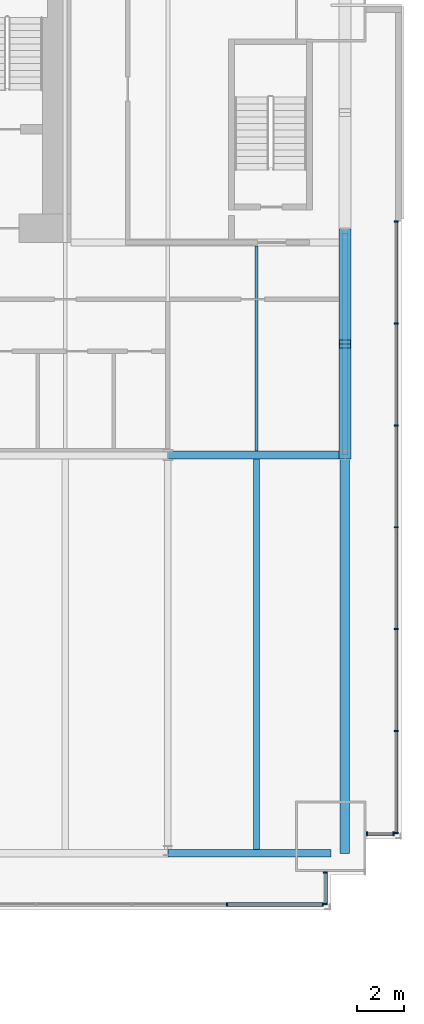
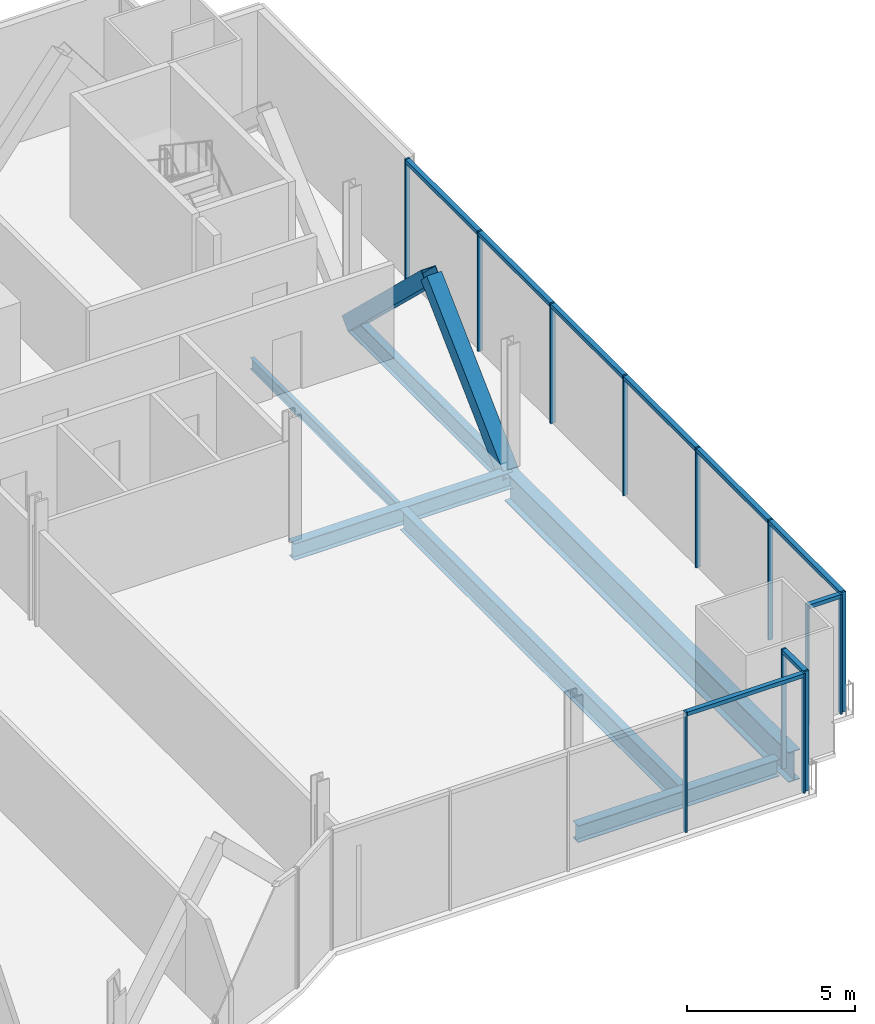
# One storey, part 12 of 21: 24 members, 6 beams, 4 elements without a shape of their own.
"""IFC4 building model written with IfcOpenShell, lengths in metres."""

from ifc_helpers import new_model, si_unit, direction, frame, origin, origin_2d, place, context, subcontext, project, spatial, rectangle, hollow_rectangle, i_section, extrude, material, material_profile, profile_set, type_object, element, aggregate, save


model = new_model("IFC4")

# Units and contexts
model_context = context("Model", 3, precision=1e-05, world=origin(), true_north=direction((0.0, 1.0)))
body_context = subcontext(model_context, "Body", "Model", "MODEL_VIEW")
ifc_project = project(units=[si_unit("LENGTHUNIT", "METRE"), si_unit("AREAUNIT", "SQUARE_METRE"), si_unit("VOLUMEUNIT", "CUBIC_METRE"), si_unit("PLANEANGLEUNIT", "RADIAN"), si_unit("MASSUNIT", "GRAM", prefix="KILO")], contexts=[model_context])

# Site, building, storey
site_placement = place(None, origin())
site = spatial("IfcSite", under=ifc_project, at=site_placement, CompositionType="ELEMENT")
building_placement = place(site_placement, origin())
building = spatial("IfcBuilding", under=site, at=building_placement, Name="Bicima Exchange Tower", CompositionType="ELEMENT")
storey_placement = place(building_placement, frame((0.0, 0.0, 48.5)))
storey = spatial("IfcBuildingStorey", under=building, at=storey_placement, Name="L09", CompositionType="ELEMENT", Elevation=48.5)

# Curtain wall, members
ifc_material_1 = material(Name="Anodised bronze aluminium", Category="aluminium")
curtain_wall_type_1 = type_object("IfcCurtainWallType", Name="End face glass wall", PredefinedType="NOTDEFINED", material=ifc_material_1)
curtain_wall_1_placement = place(storey_placement, origin())
curtain_wall_1 = element("IfcCurtainWall", 1, at=curtain_wall_1_placement, inside=storey, type_object=curtain_wall_type_1, Name="End face glass wall L09 run 19", PredefinedType="NOTDEFINED")
ifc_material_profile_1 = material_profile(ifc_material_1, rectangle(XDim=0.159912109375, YDim=0.06005859375, at=origin_2d()))
ifc_profile_set_1 = profile_set([ifc_material_profile_1], Name="Anodised bronze aluminium")
member_type_1 = type_object("IfcMemberType", Name="End face glass wall mullion 60 x 160", PredefinedType="MULLION", material=ifc_profile_set_1)
member_1_placement = place(storey_placement, frame((35.77001953125, -38.008056640625, 0.0), z_axis=(0.0, 0.0, 1.0), x_axis=(-1.0, 0.0, 0.0)))
member_1 = element("IfcMember", 2, at=member_1_placement, type_object=member_type_1, Name="End face glass wall mullion 1", PredefinedType="MULLION", context=body_context, shape_type="SweptSolid", body=[
    extrude(rectangle(XDim=0.159912109375, YDim=0.06005859375, at=origin_2d()), origin(), (0.0, 0.0, 1.0), 4.35009765625),
])
member_2_placement = place(storey_placement, frame((35.77001953125, -33.691650390625, 0.0), z_axis=(0.0, 0.0, 1.0), x_axis=(-1.0, 0.0, 0.0)))
member_2 = element("IfcMember", 3, at=member_2_placement, type_object=member_type_1, Name="End face glass wall mullion 2", PredefinedType="MULLION", context=body_context, shape_type="SweptSolid", body=[
    extrude(rectangle(XDim=0.159912109375, YDim=0.06005859375, at=origin_2d()), origin(), (0.0, 0.0, 1.0), 4.35009765625),
])
member_3_placement = place(storey_placement, frame((35.77001953125, -29.375244140625, 0.0), z_axis=(0.0, 0.0, 1.0), x_axis=(-1.0, 0.0, 0.0)))
member_3 = element("IfcMember", 4, at=member_3_placement, type_object=member_type_1, Name="End face glass wall mullion 3", PredefinedType="MULLION", context=body_context, shape_type="SweptSolid", body=[
    extrude(rectangle(XDim=0.159912109375, YDim=0.06005859375, at=origin_2d()), origin(), (0.0, 0.0, 1.0), 4.35009765625),
])
member_4_placement = place(storey_placement, frame((35.77001953125, -25.05908203125, 0.0), z_axis=(0.0, 0.0, 1.0), x_axis=(-1.0, 0.0, 0.0)))
member_4 = element("IfcMember", 5, at=member_4_placement, type_object=member_type_1, Name="End face glass wall mullion 4", PredefinedType="MULLION", context=body_context, shape_type="SweptSolid", body=[
    extrude(rectangle(XDim=0.159912109375, YDim=0.06005859375, at=origin_2d()), origin(), (0.0, 0.0, 1.0), 4.35009765625),
])
member_5_placement = place(storey_placement, frame((35.77001953125, -20.74267578125, 0.0), z_axis=(0.0, 0.0, 1.0), x_axis=(-1.0, 0.0, 0.0)))
member_5 = element("IfcMember", 6, at=member_5_placement, type_object=member_type_1, Name="End face glass wall mullion 5", PredefinedType="MULLION", context=body_context, shape_type="SweptSolid", body=[
    extrude(rectangle(XDim=0.159912109375, YDim=0.06005859375, at=origin_2d()), origin(), (0.0, 0.0, 1.0), 4.35009765625),
])
member_6_placement = place(storey_placement, frame((35.77001953125, -16.42626953125, 0.0), z_axis=(0.0, 0.0, 1.0), x_axis=(-1.0, 0.0, 0.0)))
member_6 = element("IfcMember", 7, at=member_6_placement, type_object=member_type_1, Name="End face glass wall mullion 6", PredefinedType="MULLION", context=body_context, shape_type="SweptSolid", body=[
    extrude(rectangle(XDim=0.159912109375, YDim=0.06005859375, at=origin_2d()), origin(), (0.0, 0.0, 1.0), 4.35009765625),
])
member_7_placement = place(storey_placement, frame((35.77001953125, -12.110107421875, 0.0), z_axis=(0.0, 0.0, 1.0), x_axis=(-1.0, 0.0, 0.0)))
member_7 = element("IfcMember", 8, at=member_7_placement, type_object=member_type_1, Name="End face glass wall mullion 7", PredefinedType="MULLION", context=body_context, shape_type="SweptSolid", body=[
    extrude(rectangle(XDim=0.159912109375, YDim=0.06005859375, at=origin_2d()), origin(), (0.0, 0.0, 1.0), 4.35009765625),
])
ifc_material_profile_2 = material_profile(ifc_material_1, rectangle(XDim=0.159912109375, YDim=0.139892578125, at=origin_2d()))
ifc_profile_set_2 = profile_set([ifc_material_profile_2], Name="Anodised bronze aluminium")
member_type_2 = type_object("IfcMemberType", Name="End face glass wall transom 140 x 160", PredefinedType="USERDEFINED", material=ifc_profile_set_2)
member_8_placement = place(storey_placement, frame((35.77001953125, -37.97802734375, 4.280029296875), z_axis=(0.0, 1.0, 0.0), x_axis=(-1.0, 0.0, 0.0)))
member_8 = element("IfcMember", 9, at=member_8_placement, type_object=member_type_2, Name="End face glass wall transom 1.1", ObjectType="TRANSOM", PredefinedType="USERDEFINED", context=body_context, shape_type="SweptSolid", body=[
    extrude(rectangle(XDim=0.159912109375, YDim=0.139892578125, at=origin_2d()), origin(), (0.0, 0.0, 1.0), 4.25634765625),
])
member_9_placement = place(storey_placement, frame((35.77001953125, -33.66162109375, 4.280029296875), z_axis=(0.0, 1.0, 0.0), x_axis=(-1.0, 0.0, 0.0)))
member_9 = element("IfcMember", 10, at=member_9_placement, type_object=member_type_2, Name="End face glass wall transom 2.1", ObjectType="TRANSOM", PredefinedType="USERDEFINED", context=body_context, shape_type="SweptSolid", body=[
    extrude(rectangle(XDim=0.159912109375, YDim=0.139892578125, at=origin_2d()), origin(), (0.0, 0.0, 1.0), 4.25634765625),
])
member_10_placement = place(storey_placement, frame((35.77001953125, -29.34521484375, 4.280029296875), z_axis=(0.0, 1.0, 0.0), x_axis=(-1.0, 0.0, 0.0)))
member_10 = element("IfcMember", 11, at=member_10_placement, type_object=member_type_2, Name="End face glass wall transom 3.1", ObjectType="TRANSOM", PredefinedType="USERDEFINED", context=body_context, shape_type="SweptSolid", body=[
    extrude(rectangle(XDim=0.159912109375, YDim=0.139892578125, at=origin_2d()), origin(), (0.0, 0.0, 1.0), 4.256103515625),
])
member_11_placement = place(storey_placement, frame((35.77001953125, -25.029052734375, 4.280029296875), z_axis=(0.0, 1.0, 0.0), x_axis=(-1.0, 0.0, 0.0)))
member_11 = element("IfcMember", 12, at=member_11_placement, type_object=member_type_2, Name="End face glass wall transom 4.1", ObjectType="TRANSOM", PredefinedType="USERDEFINED", context=body_context, shape_type="SweptSolid", body=[
    extrude(rectangle(XDim=0.159912109375, YDim=0.139892578125, at=origin_2d()), origin(), (0.0, 0.0, 1.0), 4.25634765625),
])
member_12_placement = place(storey_placement, frame((35.77001953125, -20.712646484375, 4.280029296875), z_axis=(0.0, 1.0, 0.0), x_axis=(-1.0, 0.0, 0.0)))
member_12 = element("IfcMember", 13, at=member_12_placement, type_object=member_type_2, Name="End face glass wall transom 5.1", ObjectType="TRANSOM", PredefinedType="USERDEFINED", context=body_context, shape_type="SweptSolid", body=[
    extrude(rectangle(XDim=0.159912109375, YDim=0.139892578125, at=origin_2d()), origin(), (0.0, 0.0, 1.0), 4.25634765625),
])
member_13_placement = place(storey_placement, frame((35.77001953125, -16.396240234375, 4.280029296875), z_axis=(0.0, 1.0, 0.0), x_axis=(-1.0, 0.0, 0.0)))
member_13 = element("IfcMember", 14, at=member_13_placement, type_object=member_type_2, Name="End face glass wall transom 6.1", ObjectType="TRANSOM", PredefinedType="USERDEFINED", context=body_context, shape_type="SweptSolid", body=[
    extrude(rectangle(XDim=0.159912109375, YDim=0.139892578125, at=origin_2d()), origin(), (0.0, 0.0, 1.0), 4.25634765625),
])
aggregate(curtain_wall_1, [member_1, member_2, member_3, member_4, member_5, member_6, member_7, member_8, member_9, member_10, member_11, member_12, member_13])

# Beams
ifc_material_2 = material(Name="Steel ASTM A992 Gr 50", Category="steel")
ifc_material_profile_3 = material_profile(ifc_material_2, i_section(OverallWidth=0.256591796875, OverallDepth=0.693359375, WebThickness=0.014404296875, FlangeThickness=0.023681640625, at=origin_2d()))
ifc_profile_set_3 = profile_set([ifc_material_profile_3], Name="Steel ASTM A992 Gr 50")
beam_type_1 = type_object("IfcBeamType", Name="End girder W27x114", PredefinedType="BEAM", material=ifc_profile_set_3)
beam_1_placement = place(storey_placement, frame((33.60009765625, -12.60009765625, -0.49658203125), z_axis=(0.0, -1.0, 0.0), x_axis=(1.0, 0.0, 0.0)))
element("IfcBeam", 15, at=beam_1_placement, inside=storey, type_object=beam_type_1, Name="End girder", PredefinedType="BEAM", context=body_context, shape_type="SweptSolid", body=[
    extrude(i_section(OverallWidth=0.256591796875, OverallDepth=0.693359375, WebThickness=0.014404296875, FlangeThickness=0.023681640625, at=origin_2d()), origin(), (0.0, 0.0, 1.0), 9.39990234375),
])
ifc_material_profile_4 = material_profile(ifc_material_2, i_section(OverallWidth=0.4013671875, OverallDepth=1.089599609375, WebThickness=0.01806640625, FlangeThickness=0.031005859375, at=origin_2d()))
ifc_profile_set_4 = profile_set([ifc_material_profile_4], Name="Steel ASTM A992 Gr 50")
beam_type_2 = type_object("IfcBeamType", Name="End girder W44x230", PredefinedType="BEAM", material=ifc_profile_set_4)
beam_2_placement = place(storey_placement, frame((33.60009765625, -22.0, -0.69482421875), z_axis=(0.0, -1.0, 0.0), x_axis=(1.0, 0.0, 0.0)))
element("IfcBeam", 16, at=beam_2_placement, inside=storey, type_object=beam_type_2, Name="End girder", PredefinedType="BEAM", context=body_context, shape_type="SweptSolid", body=[
    extrude(i_section(OverallWidth=0.4013671875, OverallDepth=1.089599609375, WebThickness=0.01806640625, FlangeThickness=0.031005859375, at=origin_2d()), origin(), (0.0, 0.0, 1.0), 16.867919921875),
])
ifc_material_profile_5 = material_profile(ifc_material_2, i_section(OverallWidth=0.140380859375, OverallDepth=0.40380859375, WebThickness=0.007080078125, FlangeThickness=0.01123046875, at=origin_2d()))
ifc_profile_set_5 = profile_set([ifc_material_profile_5], Name="Steel ASTM A992 Gr 50")
beam_type_3 = type_object("IfcBeamType", Name="Floor beam W16x31", PredefinedType="JOIST", material=ifc_profile_set_5)
beam_3_placement = place(storey_placement, frame((29.85009765625, -13.15234375, -0.351806640625), z_axis=(0.0, -1.0, 0.0), x_axis=(1.0, 0.0, 0.0)))
element("IfcBeam", 17, at=beam_3_placement, inside=storey, type_object=beam_type_3, Name="Floor beam", PredefinedType="JOIST", context=body_context, shape_type="SweptSolid", body=[
    extrude(i_section(OverallWidth=0.140380859375, OverallDepth=0.40380859375, WebThickness=0.007080078125, FlangeThickness=0.01123046875, at=origin_2d()), origin(), (0.0, 0.0, 1.0), 8.68505859375),
])
ifc_material_profile_6 = material_profile(ifc_material_2, i_section(OverallWidth=0.2666015625, OverallDepth=0.75439453125, WebThickness=0.01318359375, FlangeThickness=0.01708984375, at=origin_2d()))
ifc_profile_set_6 = profile_set([ifc_material_profile_6], Name="Steel ASTM A992 Gr 50")
beam_type_4 = type_object("IfcBeamType", Name="Floor beam W30x99", PredefinedType="JOIST", material=ifc_profile_set_6)
beam_4_placement = place(storey_placement, frame((29.85009765625, -22.16259765625, -0.527099609375), z_axis=(0.0, -1.0, 0.0), x_axis=(1.0, 0.0, 0.0)))
element("IfcBeam", 18, at=beam_4_placement, inside=storey, type_object=beam_type_4, Name="Floor beam", PredefinedType="JOIST", context=body_context, shape_type="SweptSolid", body=[
    extrude(i_section(OverallWidth=0.2666015625, OverallDepth=0.75439453125, WebThickness=0.01318359375, FlangeThickness=0.01708984375, at=origin_2d()), origin(), (0.0, 0.0, 1.0), 16.542724609375),
])
ifc_material_profile_7 = material_profile(ifc_material_2, i_section(OverallWidth=0.3251953125, OverallDepth=0.612060546875, WebThickness=0.0126953125, FlangeThickness=0.01904296875, at=origin_2d()))
ifc_profile_set_7 = profile_set([ifc_material_profile_7], Name="Steel ASTM A992 Gr 50")
beam_type_5 = type_object("IfcBeamType", Name="Front girder W24x104", PredefinedType="BEAM", material=ifc_profile_set_7)
beam_5_placement = place(storey_placement, frame((26.10009765625, -38.867919921875, -0.4560546875), z_axis=(1.0, 0.0, 0.0), x_axis=(0.0, 1.0, 0.0)))
element("IfcBeam", 19, at=beam_5_placement, inside=storey, type_object=beam_type_5, Name="Front girder", PredefinedType="BEAM", context=body_context, shape_type="SweptSolid", body=[
    extrude(i_section(OverallWidth=0.3251953125, OverallDepth=0.612060546875, WebThickness=0.0126953125, FlangeThickness=0.01904296875, at=origin_2d()), origin(), (0.0, 0.0, 1.0), 6.89990234375),
])

# Curtain wall, members
curtain_wall_type_2 = type_object("IfcCurtainWallType", Name="Front glass wall", PredefinedType="NOTDEFINED", material=ifc_material_1)
curtain_wall_2_placement = place(storey_placement, origin())
curtain_wall_2 = element("IfcCurtainWall", 20, at=curtain_wall_2_placement, inside=storey, type_object=curtain_wall_type_2, Name="Front glass wall L09 run 16", PredefinedType="NOTDEFINED")
member_type_3 = type_object("IfcMemberType", Name="Front glass wall mullion 60 x 160", PredefinedType="MULLION", material=ifc_profile_set_1)
member_14_placement = place(storey_placement, frame((28.610595703125, -41.0380859375, 0.0), z_axis=(0.0, 0.0, 1.0), x_axis=(0.0, 1.0, 0.0)))
member_14 = element("IfcMember", 21, at=member_14_placement, type_object=member_type_3, Name="Front glass wall mullion 4", PredefinedType="MULLION", context=body_context, shape_type="SweptSolid", body=[
    extrude(rectangle(XDim=0.159912109375, YDim=0.06005859375, at=origin_2d()), origin(), (0.0, 0.0, 1.0), 4.35009765625),
])
member_15_placement = place(storey_placement, frame((32.659912109375, -41.0380859375, 0.0), z_axis=(0.0, 0.0, 1.0), x_axis=(0.0, 1.0, 0.0)))
member_15 = element("IfcMember", 22, at=member_15_placement, type_object=member_type_3, Name="Front glass wall mullion 5", PredefinedType="MULLION", context=body_context, shape_type="SweptSolid", body=[
    extrude(rectangle(XDim=0.159912109375, YDim=0.06005859375, at=origin_2d()), origin(), (0.0, 0.0, 1.0), 4.35009765625),
])

curtain_wall_3_placement = place(storey_placement, origin())
curtain_wall_3 = element("IfcCurtainWall", 23, at=curtain_wall_3_placement, inside=storey, type_object=curtain_wall_type_2, Name="Front glass wall L09 run 17", PredefinedType="NOTDEFINED")
member_16_placement = place(storey_placement, frame((32.77001953125, -41.008056640625, 0.0), z_axis=(0.0, 0.0, 1.0), x_axis=(-1.0, 0.0, 0.0)))
member_16 = element("IfcMember", 24, at=member_16_placement, type_object=member_type_3, Name="Front glass wall mullion 1", PredefinedType="MULLION", context=body_context, shape_type="SweptSolid", body=[
    extrude(rectangle(XDim=0.159912109375, YDim=0.06005859375, at=origin_2d()), origin(), (0.0, 0.0, 1.0), 4.35009765625),
])
member_17_placement = place(storey_placement, frame((32.77001953125, -39.676025390625, 0.0), z_axis=(0.0, 0.0, 1.0), x_axis=(-1.0, 0.0, 0.0)))
member_17 = element("IfcMember", 25, at=member_17_placement, type_object=member_type_3, Name="Front glass wall mullion 2", PredefinedType="MULLION", context=body_context, shape_type="SweptSolid", body=[
    extrude(rectangle(XDim=0.159912109375, YDim=0.06005859375, at=origin_2d()), origin(), (0.0, 0.0, 1.0), 4.35009765625),
])

curtain_wall_4_placement = place(storey_placement, origin())
curtain_wall_4 = element("IfcCurtainWall", 26, at=curtain_wall_4_placement, inside=storey, type_object=curtain_wall_type_2, Name="Front glass wall L09 run 18", PredefinedType="NOTDEFINED")
member_18_placement = place(storey_placement, frame((34.530029296875, -38.0380859375, 0.0), z_axis=(0.0, 0.0, 1.0), x_axis=(0.0, 1.0, 0.0)))
member_18 = element("IfcMember", 27, at=member_18_placement, type_object=member_type_3, Name="Front glass wall mullion 1", PredefinedType="MULLION", context=body_context, shape_type="SweptSolid", body=[
    extrude(rectangle(XDim=0.159912109375, YDim=0.06005859375, at=origin_2d()), origin(), (0.0, 0.0, 1.0), 4.35009765625),
])
member_19_placement = place(storey_placement, frame((35.659912109375, -38.0380859375, 0.0), z_axis=(0.0, 0.0, 1.0), x_axis=(0.0, 1.0, 0.0)))
member_19 = element("IfcMember", 28, at=member_19_placement, type_object=member_type_3, Name="Front glass wall mullion 2", PredefinedType="MULLION", context=body_context, shape_type="SweptSolid", body=[
    extrude(rectangle(XDim=0.159912109375, YDim=0.06005859375, at=origin_2d()), origin(), (0.0, 0.0, 1.0), 4.35009765625),
])

# Member
member_type_4 = type_object("IfcMemberType", Name="Front glass wall transom 140 x 160", PredefinedType="USERDEFINED", material=ifc_profile_set_2)
member_20_placement = place(storey_placement, frame((28.640380859375, -41.0380859375, 4.280029296875), z_axis=(1.0, 0.0, 0.0), x_axis=(0.0, 1.0, 0.0)))
member_20 = element("IfcMember", 29, at=member_20_placement, type_object=member_type_4, Name="Front glass wall transom 4.1", ObjectType="TRANSOM", PredefinedType="USERDEFINED", context=body_context, shape_type="SweptSolid", body=[
    extrude(rectangle(XDim=0.159912109375, YDim=0.139892578125, at=origin_2d()), origin(), (0.0, 0.0, 1.0), 3.989501953125),
])

aggregate(curtain_wall_2, [member_14, member_15, member_20])

member_21_placement = place(storey_placement, frame((32.77001953125, -40.97802734375, 4.280029296875), z_axis=(0.0, 1.0, 0.0), x_axis=(-1.0, 0.0, 0.0)))
member_21 = element("IfcMember", 30, at=member_21_placement, type_object=member_type_4, Name="Front glass wall transom 1.1", ObjectType="TRANSOM", PredefinedType="USERDEFINED", context=body_context, shape_type="SweptSolid", body=[
    extrude(rectangle(XDim=0.159912109375, YDim=0.139892578125, at=origin_2d()), origin(), (0.0, 0.0, 1.0), 1.27197265625),
])

aggregate(curtain_wall_3, [member_16, member_17, member_21])

member_22_placement = place(storey_placement, frame((34.56005859375, -38.0380859375, 4.280029296875), z_axis=(1.0, 0.0, 0.0), x_axis=(0.0, 1.0, 0.0)))
member_22 = element("IfcMember", 31, at=member_22_placement, type_object=member_type_4, Name="Front glass wall transom 1.1", ObjectType="TRANSOM", PredefinedType="USERDEFINED", context=body_context, shape_type="SweptSolid", body=[
    extrude(rectangle(XDim=0.159912109375, YDim=0.139892578125, at=origin_2d()), origin(), (0.0, 0.0, 1.0), 1.06982421875),
])

aggregate(curtain_wall_4, [member_18, member_19, member_22])

# Members
ifc_material_3 = material(Name="Steel ASTM A572 Gr 50", Category="steel")
ifc_material_profile_8 = material_profile(ifc_material_3, hollow_rectangle(XDim=0.508056640625, YDim=0.508056640625, WallThickness=0.017822265625, at=origin_2d()))
ifc_profile_set_8 = profile_set([ifc_material_profile_8], Name="Steel ASTM A572 Gr 50")
member_type_5 = type_object("IfcMemberType", Name="Mega brace HSS20x20x3/4", PredefinedType="BRACE", material=ifc_profile_set_8)
for number, where, z_axis, x_axis, name in (
    (32, (33.60009765625, -12.60009765625, -0.49658203125), (0.0, -0.722304421208, 0.691575247608), (1.0, 0.0, 0.0), "Mega brace east end"),
    (33, (33.60009765625, -22.0, -0.49658203125), (0.0, 0.722304421208, 0.691575247608), (-1.0, 0.0, 0.0), "Mega brace east end"),
):
    element("IfcMember", number, at=place(storey_placement, frame(where, z_axis=z_axis, x_axis=x_axis)), inside=storey, type_object=member_type_5, Name=name, PredefinedType="BRACE", context=body_context, shape_type="SweptSolid", body=[
        extrude(hollow_rectangle(XDim=0.508056640625, YDim=0.508056640625, WallThickness=0.017822265625, at=origin_2d()), origin(), (0.0, 0.0, 1.0), 6.5068359375),
    ])

# Beam
beam_type_6 = type_object("IfcBeamType", Name="Row girder W24x104", PredefinedType="BEAM", material=ifc_profile_set_7)
beam_6_placement = place(storey_placement, frame((26.10009765625, -22.0, -0.4560546875), z_axis=(1.0, 0.0, 0.0), x_axis=(0.0, 1.0, 0.0)))
element("IfcBeam", 34, at=beam_6_placement, inside=storey, type_object=beam_type_6, Name="Row girder", PredefinedType="BEAM", context=body_context, shape_type="SweptSolid", body=[
    extrude(i_section(OverallWidth=0.3251953125, OverallDepth=0.612060546875, WebThickness=0.0126953125, FlangeThickness=0.01904296875, at=origin_2d()), origin(), (0.0, 0.0, 1.0), 7.5),
])

save(model, "model.ifc")
